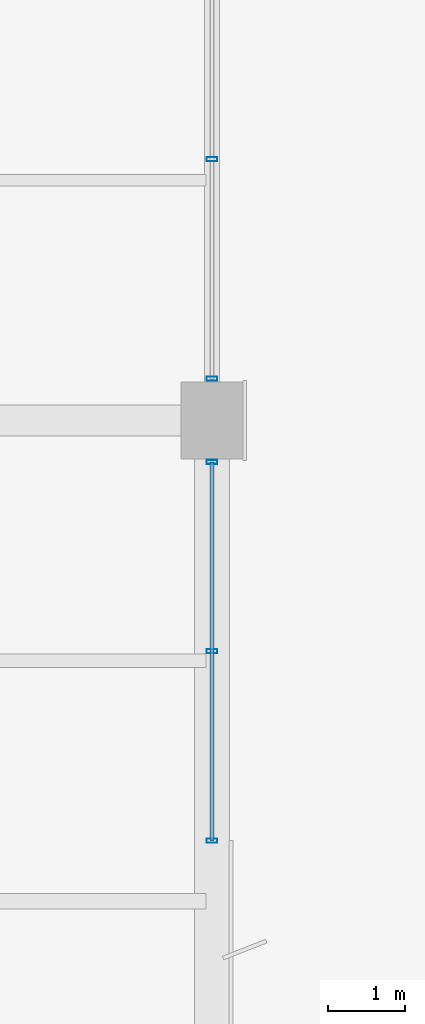
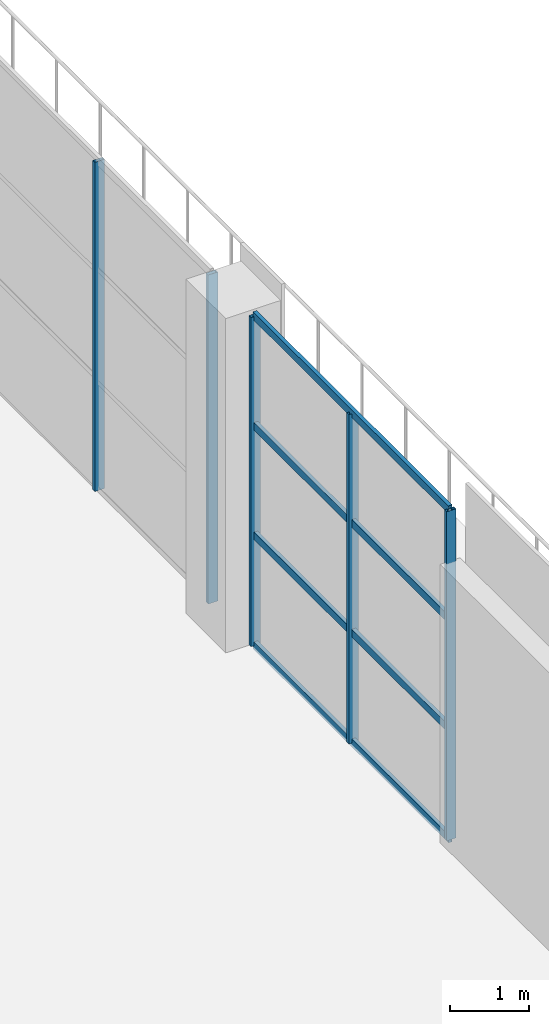
# One storey, part 29 of 90: 9 members, 2 elements without a shape of their own.
"""IFC4 building model written with IfcOpenShell, lengths in metres."""

from ifc_helpers import new_model, si_unit, direction, frame, origin, origin_2d, place, context, subcontext, project, spatial, hollow_rectangle, extrude, material, material_profile, profile_set, type_object, element, aggregate, save


model = new_model("IFC4")

# Units and contexts
model_context = context("Model", 3, precision=1e-05, world=origin(), true_north=direction((0.0, 1.0)))
body_context = subcontext(model_context, "Body", "Model", "MODEL_VIEW")
ifc_project = project(units=[si_unit("LENGTHUNIT", "METRE"), si_unit("AREAUNIT", "SQUARE_METRE"), si_unit("VOLUMEUNIT", "CUBIC_METRE"), si_unit("PLANEANGLEUNIT", "RADIAN"), si_unit("MASSUNIT", "GRAM", prefix="KILO")], contexts=[model_context])

# Site, building, storey
site_placement = place(None, origin())
site = spatial("IfcSite", under=ifc_project, at=site_placement, CompositionType="ELEMENT")
building_placement = place(site_placement, origin())
building = spatial("IfcBuilding", under=site, at=building_placement, Name="Solvikara Media Centre", CompositionType="ELEMENT")
storey_placement = place(building_placement, origin())
storey = spatial("IfcBuildingStorey", under=building, at=storey_placement, Name="L00", CompositionType="ELEMENT", Elevation=0.0)

# Curtain wall, members
ifc_material = material(Name="Anodised aluminium EN AW-6063", Category="aluminium")
curtain_wall_type = type_object("IfcCurtainWallType", Name="CW-08", PredefinedType="NOTDEFINED", material=ifc_material)
curtain_wall_1_placement = place(storey_placement, origin())
curtain_wall_1 = element("IfcCurtainWall", 1, at=curtain_wall_1_placement, inside=storey, type_object=curtain_wall_type, Name="CW-L00-V3E-1-S1", PredefinedType="NOTDEFINED")
ifc_material_profile_1 = material_profile(ifc_material, hollow_rectangle(XDim=0.054931640625, YDim=0.139892578125, WallThickness=0.0029296875, at=origin_2d()), Name="ALU-M 55x140x3")
ifc_profile_set_1 = profile_set([ifc_material_profile_1], Name="Anodised aluminium EN AW-6063")
member_type_1 = type_object("IfcMemberType", Name="MF-05", PredefinedType="MULLION", material=ifc_profile_set_1)
member_1_placement = place(storey_placement, frame((34.0, 96.034912109375, 0.02001953125), z_axis=(0.0, 0.0, 1.0), x_axis=(0.0, 1.0, 0.0)))
member_1 = element("IfcMember", 2, at=member_1_placement, type_object=member_type_1, Name="CW-L00-V3E-1-S1-M00", PredefinedType="MULLION", context=body_context, shape_type="SweptSolid", body=[
    extrude(hollow_rectangle(XDim=0.054931640625, YDim=0.139892578125, WallThickness=0.0029296875, at=origin_2d()), origin(), (0.0, 0.0, 1.0), 5.06005859375),
])
member_2_placement = place(storey_placement, frame((34.0, 98.4970703125, 0.02001953125), z_axis=(0.0, 0.0, 1.0), x_axis=(0.0, 1.0, 0.0)))
member_2 = element("IfcMember", 3, at=member_2_placement, type_object=member_type_1, Name="CW-L00-V3E-1-S1-M01", PredefinedType="MULLION", context=body_context, shape_type="SweptSolid", body=[
    extrude(hollow_rectangle(XDim=0.054931640625, YDim=0.139892578125, WallThickness=0.0029296875, at=origin_2d()), origin(), (0.0, 0.0, 1.0), 5.06005859375),
])
member_3_placement = place(storey_placement, frame((34.0, 100.9599609375, 0.02001953125), z_axis=(0.0, 0.0, 1.0), x_axis=(0.0, 1.0, 0.0)))
member_3 = element("IfcMember", 4, at=member_3_placement, type_object=member_type_1, Name="CW-L00-V3E-1-S1-M02", PredefinedType="MULLION", context=body_context, shape_type="SweptSolid", body=[
    extrude(hollow_rectangle(XDim=0.054931640625, YDim=0.139892578125, WallThickness=0.0029296875, at=origin_2d()), origin(), (0.0, 0.0, 1.0), 5.06005859375),
])

curtain_wall_2_placement = place(storey_placement, origin())
curtain_wall_2 = element("IfcCurtainWall", 5, at=curtain_wall_2_placement, inside=storey, type_object=curtain_wall_type, Name="CW-L00-V3E-1-S2", PredefinedType="NOTDEFINED")
member_4_placement = place(storey_placement, frame((34.0, 102.0400390625, 0.02001953125), z_axis=(0.0, 0.0, 1.0), x_axis=(0.0, 1.0, 0.0)))
member_4 = element("IfcMember", 6, at=member_4_placement, type_object=member_type_1, Name="CW-L00-V3E-1-S2-M00", PredefinedType="MULLION", context=body_context, shape_type="SweptSolid", body=[
    extrude(hollow_rectangle(XDim=0.054931640625, YDim=0.139892578125, WallThickness=0.0029296875, at=origin_2d()), origin(), (0.0, 0.0, 1.0), 5.06005859375),
])
member_5_placement = place(storey_placement, frame((34.0, 104.89501953125, 0.02001953125), z_axis=(0.0, 0.0, 1.0), x_axis=(0.0, 1.0, 0.0)))
member_5 = element("IfcMember", 7, at=member_5_placement, type_object=member_type_1, Name="CW-L00-V3E-1-S2-M01", PredefinedType="MULLION", context=body_context, shape_type="SweptSolid", body=[
    extrude(hollow_rectangle(XDim=0.054931640625, YDim=0.139892578125, WallThickness=0.0029296875, at=origin_2d()), origin(), (0.0, 0.0, 1.0), 5.06005859375),
])
aggregate(curtain_wall_2, [member_4, member_5])

# Member
ifc_material_profile_2 = material_profile(ifc_material, hollow_rectangle(XDim=0.054931640625, YDim=0.1201171875, WallThickness=0.0029296875, at=origin_2d()), Name="ALU-T 55x120x3")
ifc_profile_set_2 = profile_set([ifc_material_profile_2], Name="Anodised aluminium EN AW-6063")
member_type_2 = type_object("IfcMemberType", Name="MF-11", PredefinedType="USERDEFINED", material=ifc_profile_set_2)
member_6_placement = place(storey_placement, frame((34.0, 96.034912109375, 0.02001953125), z_axis=(0.0, 1.0, 0.0), x_axis=(-1.0, 0.0, 0.0)))
member_6 = element("IfcMember", 8, at=member_6_placement, type_object=member_type_2, Name="CW-L00-V3E-1-S1-T00", ObjectType="TRANSOM", PredefinedType="USERDEFINED", context=body_context, shape_type="SweptSolid", body=[
    extrude(hollow_rectangle(XDim=0.054931640625, YDim=0.1201171875, WallThickness=0.0029296875, at=origin_2d()), origin(), (0.0, 0.0, 1.0), 4.925048828125),
])

member_7_placement = place(storey_placement, frame((34.0, 96.034912109375, 1.70703125), z_axis=(0.0, 1.0, 0.0), x_axis=(-1.0, 0.0, 0.0)))
member_7 = element("IfcMember", 9, at=member_7_placement, type_object=member_type_2, Name="CW-L00-V3E-1-S1-T01", ObjectType="TRANSOM", PredefinedType="USERDEFINED", context=body_context, shape_type="SweptSolid", body=[
    extrude(hollow_rectangle(XDim=0.054931640625, YDim=0.1201171875, WallThickness=0.0029296875, at=origin_2d()), origin(), (0.0, 0.0, 1.0), 4.925048828125),
])

member_8_placement = place(storey_placement, frame((34.0, 96.034912109375, 3.39306640625), z_axis=(0.0, 1.0, 0.0), x_axis=(-1.0, 0.0, 0.0)))
member_8 = element("IfcMember", 10, at=member_8_placement, type_object=member_type_2, Name="CW-L00-V3E-1-S1-T02", ObjectType="TRANSOM", PredefinedType="USERDEFINED", context=body_context, shape_type="SweptSolid", body=[
    extrude(hollow_rectangle(XDim=0.054931640625, YDim=0.1201171875, WallThickness=0.0029296875, at=origin_2d()), origin(), (0.0, 0.0, 1.0), 4.925048828125),
])

member_9_placement = place(storey_placement, frame((34.0, 96.034912109375, 5.080078125), z_axis=(0.0, 1.0, 0.0), x_axis=(-1.0, 0.0, 0.0)))
member_9 = element("IfcMember", 11, at=member_9_placement, type_object=member_type_2, Name="CW-L00-V3E-1-S1-T03", ObjectType="TRANSOM", PredefinedType="USERDEFINED", context=body_context, shape_type="SweptSolid", body=[
    extrude(hollow_rectangle(XDim=0.054931640625, YDim=0.1201171875, WallThickness=0.0029296875, at=origin_2d()), origin(), (0.0, 0.0, 1.0), 4.925048828125),
])

aggregate(curtain_wall_1, [member_1, member_2, member_3, member_6, member_7, member_8, member_9])

save(model, "model.ifc")
